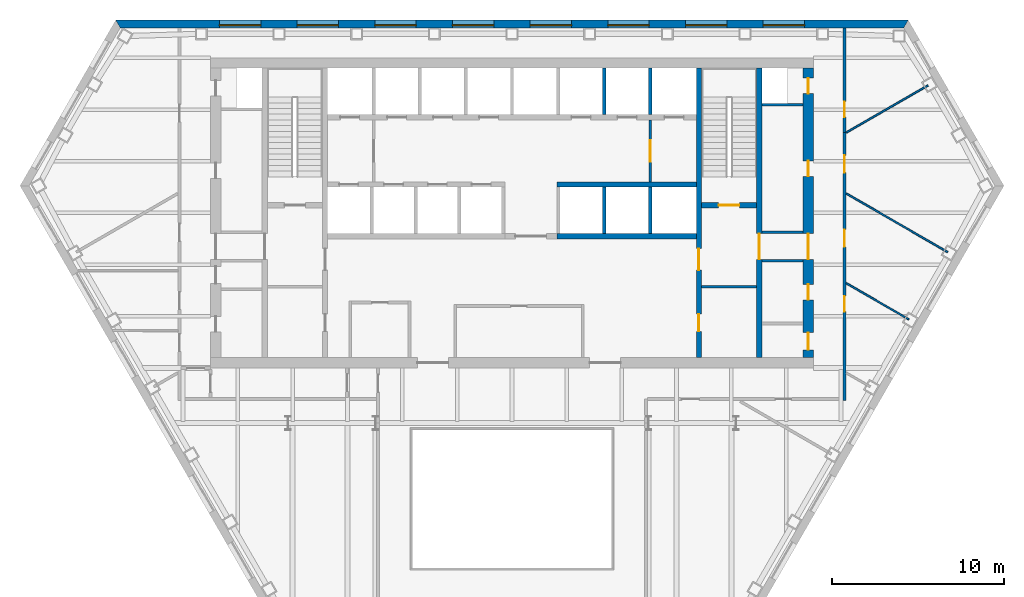
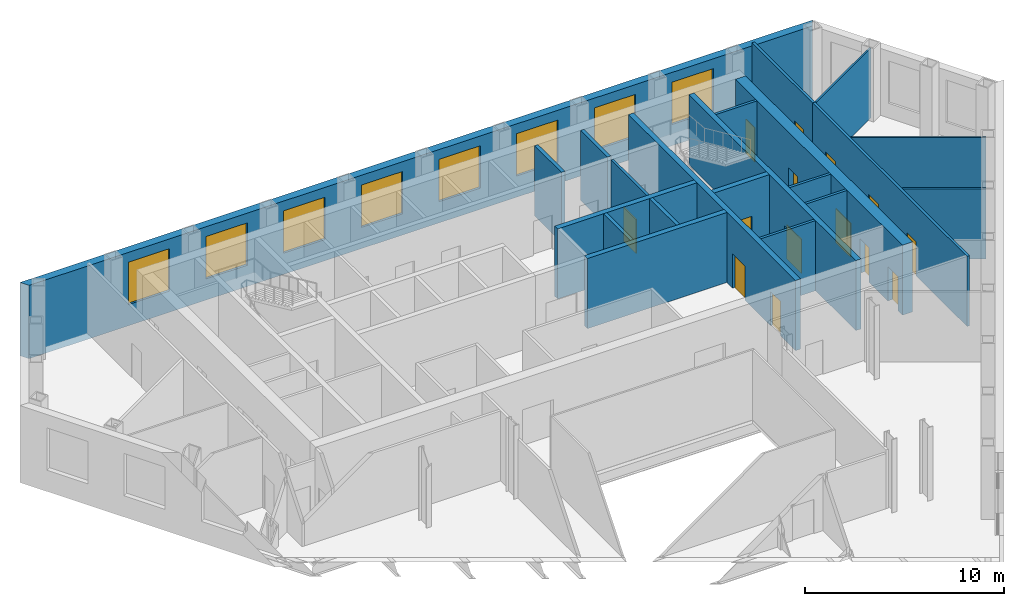
# One storey, part 7 of 11: 21 walls, 14 doors, 8 windows, 22 openings.
"""IFC4 building model written with IfcOpenShell, lengths in metres."""

import ifcopenshell
import ifcopenshell.guid

model = None  # the IFC model being written
_history = None  # IfcOwnerHistory: only IFC2X3 demands one
_inside = {}  # id of a spatial element -> (the spatial element, [elements in it])
_under = {}  # id of a project, library or spatial element -> (it, [spatial elements below it])
_declared = {}  # id of a project -> (the project, [libraries it declares])
_typed = {}  # id of a type object -> (the type object, [elements of that type])
_made_of = {}  # id of a material, layer set ... -> (it, [elements and type objects made of it])


def new_model(schema):
    """Start an empty IFC model of exactly this schema.

    Asked for "IFC4X3", IfcOpenShell would pick the latest addendum, in which some entities
    have other attributes; the version numbers below select the first issue.
    IFC2X3 requires an IfcOwnerHistory on every rooted entity: one is made here for all.
    """
    global model, _history
    if schema == "IFC4X3":
        model = ifcopenshell.file(schema_version=(4, 3, 0, 0))
    else:
        model = ifcopenshell.file(schema=schema)
    _inside.clear()
    _under.clear()
    _declared.clear()
    _typed.clear()
    _made_of.clear()
    _history = None
    if model.schema == "IFC2X3":
        org = make("IfcOrganization", Name="unknown")
        user = make(
            "IfcPersonAndOrganization",
            ThePerson=make("IfcPerson", FamilyName="unknown"),
            TheOrganization=org,
        )
        app = make(
            "IfcApplication",
            ApplicationDeveloper=org,
            Version="unknown",
            ApplicationFullName="unknown",
            ApplicationIdentifier="unknown",
        )
        _history = make(
            "IfcOwnerHistory",
            OwningUser=user,
            OwningApplication=app,
            ChangeAction="ADDED",
            CreationDate=0,
        )
    return model


def make(cls, **values):
    """One entity of the class cls with the attributes given. An attribute that is None is left unset."""
    return model.create_entity(
        cls, **{name: value for name, value in values.items() if value is not None}
    )


def rooted(cls, **values):
    """An entity with a GlobalId (a new one), such as an element, a storey or a relation."""
    return make(cls, GlobalId=ifcopenshell.guid.new(), OwnerHistory=_history, **values)


def si_unit(unit_type, name, prefix=None):
    """IfcSIUnit, for example si_unit("LENGTHUNIT", "METRE", prefix="MILLI")."""
    return make("IfcSIUnit", UnitType=unit_type, Prefix=prefix, Name=name)


def assignment(units):
    """IfcUnitAssignment: the units of a project."""
    return None if units is None else make("IfcUnitAssignment", Units=units)


def point(xyz):
    """IfcCartesianPoint."""
    return None if xyz is None else make("IfcCartesianPoint", Coordinates=xyz)


def direction(xyz):
    """IfcDirection."""
    return None if xyz is None else make("IfcDirection", DirectionRatios=xyz)


def frame(location, z_axis=None, x_axis=None):
    """IfcAxis2Placement3D, a coordinate frame: its origin and axes. An axis left out is left unset."""
    return make(
        "IfcAxis2Placement3D",
        Location=point(location),
        Axis=direction(z_axis),
        RefDirection=direction(x_axis),
    )


def frame_2d(location, x_axis=None):
    """IfcAxis2Placement2D, a coordinate frame in the plane: its origin and x axis."""
    return make(
        "IfcAxis2Placement2D", Location=point(location), RefDirection=direction(x_axis)
    )


def origin():
    """The frame at (0, 0, 0) with its axes left unset."""
    return frame((0.0, 0.0, 0.0))


def place(relative_to, where):
    """IfcLocalPlacement: puts the frame where relative to a parent placement (None: the world)."""
    return make(
        "IfcLocalPlacement", PlacementRelTo=relative_to, RelativePlacement=where
    )


def context(
    kind, dimensions, precision=None, world=None, true_north=None, identifier=None
):
    """IfcGeometricRepresentationContext, for example the 3D "Model" context."""
    return make(
        "IfcGeometricRepresentationContext",
        ContextIdentifier=identifier,
        ContextType=kind,
        CoordinateSpaceDimension=dimensions,
        Precision=precision,
        WorldCoordinateSystem=world,
        TrueNorth=true_north,
    )


def subcontext(parent, identifier, kind, view, scale=None):
    """IfcGeometricRepresentationSubContext, for example "Body" below "Model"."""
    return make(
        "IfcGeometricRepresentationSubContext",
        ContextIdentifier=identifier,
        ContextType=kind,
        ParentContext=parent,
        TargetScale=scale,
        TargetView=view,
    )


def project(units=None, contexts=None):
    """IfcProject with its units and contexts."""
    return rooted(
        "IfcProject",
        Name="project",
        RepresentationContexts=contexts,
        UnitsInContext=assignment(units),
    )


def spatial(cls, under=None, at=None, **own):
    """A site, building, storey or space (cls), placed at a placement, below another one or the project."""
    s = rooted(cls, ObjectPlacement=at, **own)
    if under is not None:
        _under.setdefault(under.id(), (under, []))[1].append(s)
    return s


def polyline(points):
    """IfcPolyline through the points."""
    return make("IfcPolyline", Points=[point(p) for p in points])


def profile(cls, at=None, kind="AREA", **sizes):
    """A parametric profile (cls). Its sizes go by their IFC names, for example OverallWidth=200.0."""
    return make(cls, ProfileType=kind, Position=at, **sizes)


def rectangle(**sizes):
    """IfcRectangleProfileDef."""
    return profile("IfcRectangleProfileDef", **sizes)


def outline(outer, holes=None, kind="AREA"):
    """IfcArbitraryClosedProfileDef: a profile drawn as a closed curve; with holes, ...WithVoids."""
    if holes is None:
        return make("IfcArbitraryClosedProfileDef", ProfileType=kind, OuterCurve=outer)
    return make(
        "IfcArbitraryProfileDefWithVoids",
        ProfileType=kind,
        OuterCurve=outer,
        InnerCurves=holes,
    )


def extrude(swept, where, along, depth):
    """IfcExtrudedAreaSolid: the profile swept, set in the frame where, extruded along a direction by depth."""
    return make(
        "IfcExtrudedAreaSolid",
        SweptArea=swept,
        Position=where,
        ExtrudedDirection=direction(along),
        Depth=depth,
    )


def shape(context_of_items, identifier, shape_type, items):
    """IfcShapeRepresentation: the items that make up one representation, for example the "Body"."""
    return make(
        "IfcShapeRepresentation",
        ContextOfItems=context_of_items,
        RepresentationIdentifier=identifier,
        RepresentationType=shape_type,
        Items=items,
    )


def material(Name=None, Category=None):
    """IfcMaterial."""
    return make("IfcMaterial", Name=Name, Category=Category)


def layer(
    of_material, thickness, ventilated=None, Name=None, Category=None, Priority=None
):
    """IfcMaterialLayer: one layer of a wall or slab, of a material (None: an air gap)."""
    return make(
        "IfcMaterialLayer",
        Material=of_material,
        LayerThickness=thickness,
        IsVentilated=ventilated,
        Name=Name,
        Category=Category,
        Priority=Priority,
    )


def layer_set(layers, Name=None):
    """IfcMaterialLayerSet."""
    return make("IfcMaterialLayerSet", MaterialLayers=layers, LayerSetName=Name)


def made_of(thing, what):
    """Note that an element or type object is made of a material, layer set ...; save() writes the relation."""
    if what is not None:
        _made_of.setdefault(what.id(), (what, []))[1].append(thing)
    return thing


def type_object(cls, material=None, **own):
    """A type object (cls), such as IfcWallType, which elements share."""
    return made_of(rooted(cls, **own), material)


def element(
    cls,
    number,
    at=None,
    inside=None,
    cuts=None,
    type_object=None,
    material=None,
    context=None,
    identifier="Body",
    shape_type=None,
    held_by="IfcProductDefinitionShape",
    body=None,
    shapes=None,
    **own,
):
    """One element of the class cls, such as IfcWall. Its Tag is "e" and its number.

    at: its placement. inside: the storey or other place that contains it. cuts: it is an
    opening in that element (IfcRelVoidsElement). A single representation is given by context,
    identifier, shape_type and body (its items); several are given by shapes. held_by: the class
    of the entity that holds the representations. save() writes the other relations.
    """
    e = rooted(cls, Tag="e%d" % number, ObjectPlacement=at, **own)
    if body is not None:
        shapes = [shape(context, identifier, shape_type, body)]
    if shapes is not None:
        e.Representation = make(held_by, Representations=shapes)
    if inside is not None:
        _inside.setdefault(inside.id(), (inside, []))[1].append(e)
    if cuts is not None:
        rooted(
            "IfcRelVoidsElement", RelatingBuildingElement=cuts, RelatedOpeningElement=e
        )
    if type_object is not None:
        _typed.setdefault(type_object.id(), (type_object, []))[1].append(e)
    return made_of(e, material)


def fill(opening, filler):
    """IfcRelFillsElement: the door or window that sits in an opening."""
    return rooted(
        "IfcRelFillsElement",
        RelatingOpeningElement=opening,
        RelatedBuildingElement=filler,
    )


def aggregate(whole, parts):
    """IfcRelAggregates: a whole, such as a stair, and the parts it consists of."""
    return rooted("IfcRelAggregates", RelatingObject=whole, RelatedObjects=parts)


def save(model, path):
    """Write the relations noted so far, then the file.

    IfcRelAggregates (storeys below a building ...), IfcRelContainedInSpatialStructure (elements
    in a storey), IfcRelDefinesByType, IfcRelAssociatesMaterial and IfcRelDeclares: one each for
    every whole, place, type object, material and project.
    """
    for whole, parts in _under.values():
        aggregate(whole, parts)
    for where, things in _inside.values():
        rooted(
            "IfcRelContainedInSpatialStructure",
            RelatedElements=things,
            RelatingStructure=where,
        )
    for kind, things in _typed.values():
        rooted("IfcRelDefinesByType", RelatedObjects=things, RelatingType=kind)
    for what, things in _made_of.values():
        rooted("IfcRelAssociatesMaterial", RelatedObjects=things, RelatingMaterial=what)
    for by, libraries in _declared.values():
        rooted("IfcRelDeclares", RelatingContext=by, RelatedDefinitions=libraries)
    model.write(path)


model = new_model("IFC4")

# Units and contexts
model_context = context("Model", 3, precision=1e-05, world=origin(), true_north=direction((0.0, 1.0)))
body_context = subcontext(model_context, "Body", "Model", "MODEL_VIEW")
ifc_project = project(units=[si_unit("LENGTHUNIT", "METRE"), si_unit("AREAUNIT", "SQUARE_METRE"), si_unit("VOLUMEUNIT", "CUBIC_METRE"), si_unit("PLANEANGLEUNIT", "RADIAN"), si_unit("MASSUNIT", "GRAM", prefix="KILO")], contexts=[model_context])

# Site, building, storey
site_placement = place(None, origin())
site = spatial("IfcSite", under=ifc_project, at=site_placement, CompositionType="ELEMENT")
building_placement = place(site_placement, origin())
building = spatial("IfcBuilding", under=site, at=building_placement, Name="Njiva Tower", CompositionType="ELEMENT")
storey_placement = place(building_placement, frame((0.0, 0.0, 64.8)))
storey = spatial("IfcBuildingStorey", under=building, at=storey_placement, Name="L13", CompositionType="ELEMENT", Elevation=64.8)

# Wall
ifc_material_1 = material(Name="Blockwork", Category="masonry")
ifc_layer_1 = layer(ifc_material_1, 0.15)
ifc_layer_set_1 = layer_set([ifc_layer_1], Name="Blockwork")
wall_type_1 = type_object("IfcWallType", Name="WT1 Compartment partition 150", PredefinedType="PARTITIONING", material=ifc_layer_set_1)
wall_1_placement = place(storey_placement, frame((11.0, 4.725, 0.0), z_axis=(0.0, 0.0, 1.0), x_axis=(1.0, 0.0, 0.0)))
element("IfcWall", 1, at=wall_1_placement, inside=storey, type_object=wall_type_1, Name="Room wall B", PredefinedType="PARTITIONING", context=body_context, shape_type="SweptSolid", body=[
    extrude(rectangle(XDim=3.2, YDim=0.15, at=frame_2d((1.6, 0.0))), origin(), (0.0, 0.0, 1.0), 4.3),
])

# Wall, openings, doors
ifc_material_2 = material(Name="Concrete C40/50", Category="concrete")
ifc_layer_2 = layer(ifc_material_2, 0.3)
ifc_layer_set_2 = layer_set([ifc_layer_2], Name="Concrete C40/50")
wall_type_2 = type_object("IfcWallType", Name="WT10 Stair enclosure wall 300", PredefinedType="SHEAR", material=ifc_layer_set_2)
wall_2_placement = place(storey_placement, frame((10.85, 0.6, 0.0), z_axis=(0.0, 0.0, 1.0), x_axis=(0.0, 1.0, 0.0)))
wall_2 = element("IfcWall", 2, at=wall_2_placement, inside=storey, type_object=wall_type_2, Name="Stair wall east inner", PredefinedType="SHEAR", context=body_context, shape_type="SweptSolid", body=[
    extrude(rectangle(XDim=16.8, YDim=0.3, at=frame_2d((8.4, 0.0))), origin(), (0.0, 0.0, 1.0), 4.3),
])
opening_1_placement = place(wall_2_placement, frame((5.075, 0.0, 0.0)))
opening_1 = element("IfcOpeningElement", 3, at=opening_1_placement, cuts=wall_2, Name="Opening S04-D918", PredefinedType="OPENING", context=body_context, shape_type="SweptSolid", body=[
    extrude(rectangle(XDim=1.25, YDim=2.1, at=frame_2d((0.625, 1.05))), frame((0.0, 0.16, 0.0), z_axis=(0.0, -1.0, 0.0), x_axis=(1.0, 0.0, 0.0)), (0.0, 0.0, 1.0), 0.32),
])
opening_2_placement = place(wall_2_placement, frame((1.525, 0.0, 0.0)))
opening_2 = element("IfcOpeningElement", 4, at=opening_2_placement, cuts=wall_2, Name="Opening S04-D919", PredefinedType="OPENING", context=body_context, shape_type="SweptSolid", body=[
    extrude(rectangle(XDim=1.0, YDim=2.1, at=frame_2d((0.5, 1.05))), frame((0.0, 0.16, 0.0), z_axis=(0.0, -1.0, 0.0), x_axis=(1.0, 0.0, 0.0)), (0.0, 0.0, 1.0), 0.32),
])
ifc_material_3 = material(Name="Steel door, painted", Category="steel")
door_type_1 = type_object("IfcDoorType", Name="D5 Steel door 1000x2100", OperationType="SINGLE_SWING_LEFT", PredefinedType="DOOR", material=ifc_material_3)
door_1_placement = place(opening_2_placement, origin())
door_1 = element("IfcDoor", 5, at=door_1_placement, inside=storey, type_object=door_type_1, Name="Meeting room door", OperationType="SINGLE_SWING_LEFT", OverallHeight=2.1, OverallWidth=1.0, PredefinedType="DOOR", context=body_context, shape_type="SweptSolid", body=[
    extrude(rectangle(XDim=1.0, YDim=2.1, at=frame_2d((0.5, 1.05))), frame((0.0, 0.025, 0.0), z_axis=(0.0, -1.0, 0.0), x_axis=(1.0, 0.0, 0.0)), (0.0, 0.0, 1.0), 0.05),
])
fill(opening_2, door_1)
ifc_material_4 = material(Name="Glazed steel fire door", Category="steel")
door_type_2 = type_object("IfcDoorType", Name="D8 Vestibule corridor door 1250x2100 glazed", OperationType="SINGLE_SWING_LEFT", PredefinedType="DOOR", material=ifc_material_4)
door_2_placement = place(opening_1_placement, origin())
door_2 = element("IfcDoor", 6, at=door_2_placement, inside=storey, type_object=door_type_2, Name="Stair vestibule corridor door", OperationType="SINGLE_SWING_RIGHT", OverallHeight=2.1, OverallWidth=1.25, PredefinedType="DOOR", context=body_context, shape_type="SweptSolid", body=[
    extrude(rectangle(XDim=1.25, YDim=2.1, at=frame_2d((0.625, 1.05))), frame((0.0, 0.025, 0.0), z_axis=(0.0, -1.0, 0.0), x_axis=(1.0, 0.0, 0.0)), (0.0, 0.0, 1.0), 0.05),
])
fill(opening_1, door_2)

# Wall, opening, door
wall_3_placement = place(storey_placement, frame((14.35, 0.6, 0.0), z_axis=(0.0, 0.0, 1.0), x_axis=(0.0, 1.0, 0.0)))
wall_3 = element("IfcWall", 7, at=wall_3_placement, inside=storey, type_object=wall_type_2, Name="Stair wall east outer", PredefinedType="SHEAR", context=body_context, shape_type="SweptSolid", body=[
    extrude(rectangle(XDim=16.8, YDim=0.3, at=frame_2d((8.4, 0.0))), origin(), (0.0, 0.0, 1.0), 4.3),
])
opening_3_placement = place(wall_3_placement, frame((5.7, 0.0, 0.0)))
opening_3 = element("IfcOpeningElement", 8, at=opening_3_placement, cuts=wall_3, Name="Opening S04-D926", PredefinedType="OPENING", context=body_context, shape_type="SweptSolid", body=[
    extrude(rectangle(XDim=1.5, YDim=2.1, at=frame_2d((0.75, 1.05))), frame((0.0, 0.16, 0.0), z_axis=(0.0, -1.0, 0.0), x_axis=(1.0, 0.0, 0.0)), (0.0, 0.0, 1.0), 0.32),
])
door_type_3 = type_object("IfcDoorType", Name="D10 Exit door double 1500x2100 glazed", OperationType="DOUBLE_DOOR_SINGLE_SWING", PredefinedType="DOOR", material=ifc_material_4)
door_3_placement = place(opening_3_placement, origin())
door_3 = element("IfcDoor", 9, at=door_3_placement, inside=storey, type_object=door_type_3, Name="Stair B passage door", OperationType="DOUBLE_DOOR_SINGLE_SWING", OverallHeight=2.1, OverallWidth=1.5, PredefinedType="DOOR", context=body_context, shape_type="SweptSolid", body=[
    extrude(rectangle(XDim=1.5, YDim=2.1, at=frame_2d((0.75, 1.05))), frame((0.0, 0.025, 0.0), z_axis=(0.0, -1.0, 0.0), x_axis=(1.0, 0.0, 0.0)), (0.0, 0.0, 1.0), 0.05),
])
fill(opening_3, door_3)

wall_4_placement = place(storey_placement, frame((11.0, 9.45, 0.0), z_axis=(0.0, 0.0, 1.0), x_axis=(1.0, 0.0, 0.0)))
wall_4 = element("IfcWall", 10, at=wall_4_placement, inside=storey, type_object=wall_type_2, Name="Stair B south wall", PredefinedType="SHEAR", context=body_context, shape_type="SweptSolid", body=[
    extrude(rectangle(XDim=3.2, YDim=0.3, at=frame_2d((1.6, 0.0))), origin(), (0.0, 0.0, 1.0), 4.3),
])
opening_4_placement = place(wall_4_placement, frame((1.0, 0.0, 0.0)))
opening_4 = element("IfcOpeningElement", 11, at=opening_4_placement, cuts=wall_4, Name="Opening S04-D917", PredefinedType="OPENING", context=body_context, shape_type="SweptSolid", body=[
    extrude(rectangle(XDim=1.2, YDim=2.1, at=frame_2d((0.6, 1.05))), frame((0.0, 0.16, 0.0), z_axis=(0.0, -1.0, 0.0), x_axis=(1.0, 0.0, 0.0)), (0.0, 0.0, 1.0), 0.32),
])
door_type_4 = type_object("IfcDoorType", Name="D7 Stair vestibule door 1200x2100 glazed", OperationType="SINGLE_SWING_LEFT", PredefinedType="DOOR", material=ifc_material_4)
door_4_placement = place(opening_4_placement, origin())
door_4 = element("IfcDoor", 12, at=door_4_placement, inside=storey, type_object=door_type_4, Name="Stair B door", OperationType="SINGLE_SWING_LEFT", OverallHeight=2.1, OverallWidth=1.2, PredefinedType="DOOR", context=body_context, shape_type="SweptSolid", body=[
    extrude(rectangle(XDim=1.2, YDim=2.1, at=frame_2d((0.6, 1.05))), frame((0.0, 0.025, 0.0), z_axis=(0.0, -1.0, 0.0), x_axis=(1.0, 0.0, 0.0)), (0.0, 0.0, 1.0), 0.05),
])
fill(opening_4, door_4)

# Wall, openings, doors
ifc_material_5 = material(Name="Concrete C60/75", Category="concrete")
ifc_layer_3 = layer(ifc_material_5, 0.6)
ifc_layer_set_3 = layer_set([ifc_layer_3], Name="Concrete C60/75")
wall_type_3 = type_object("IfcWallType", Name="WT15 Core wall 600", PredefinedType="SHEAR", material=ifc_layer_set_3)
wall_5_placement = place(storey_placement, frame((17.2, 0.6, 0.0), z_axis=(0.0, 0.0, 1.0), x_axis=(0.0, 1.0, 0.0)))
wall_5 = element("IfcWall", 13, at=wall_5_placement, inside=storey, type_object=wall_type_3, Name="Core wall east", PredefinedType="SHEAR", context=body_context, shape_type="SweptSolid", body=[
    extrude(rectangle(XDim=16.8, YDim=0.6, at=frame_2d((8.4, 0.0))), origin(), (0.0, 0.0, 1.0), 4.3),
])
opening_5_placement = place(wall_5_placement, frame((5.7, 0.0, 0.0)))
opening_5 = element("IfcOpeningElement", 14, at=opening_5_placement, cuts=wall_5, Name="Opening S04-D927", PredefinedType="OPENING", context=body_context, shape_type="SweptSolid", body=[
    extrude(rectangle(XDim=1.5, YDim=2.1, at=frame_2d((0.75, 1.05))), frame((0.0, 0.31, 0.0), z_axis=(0.0, -1.0, 0.0), x_axis=(1.0, 0.0, 0.0)), (0.0, 0.0, 1.0), 0.62),
])
opening_6_placement = place(wall_5_placement, frame((0.4543, 0.0, 0.0)))
opening_6 = element("IfcOpeningElement", 15, at=opening_6_placement, cuts=wall_5, Name="Opening S04-D928", PredefinedType="OPENING", context=body_context, shape_type="SweptSolid", body=[
    extrude(rectangle(XDim=1.0, YDim=2.1, at=frame_2d((0.5, 1.05))), frame((0.0, 0.31, 0.0), z_axis=(0.0, -1.0, 0.0), x_axis=(1.0, 0.0, 0.0)), (0.0, 0.0, 1.0), 0.62),
])
opening_7_placement = place(wall_5_placement, frame((3.3543, 0.0, 0.0)))
opening_7 = element("IfcOpeningElement", 16, at=opening_7_placement, cuts=wall_5, Name="Opening S04-D929", PredefinedType="OPENING", context=body_context, shape_type="SweptSolid", body=[
    extrude(rectangle(XDim=0.9, YDim=2.1, at=frame_2d((0.45, 1.05))), frame((0.0, 0.31, 0.0), z_axis=(0.0, -1.0, 0.0), x_axis=(1.0, 0.0, 0.0)), (0.0, 0.0, 1.0), 0.62),
])
opening_8_placement = place(wall_5_placement, frame((10.5266, 0.0, 0.0)))
opening_8 = element("IfcOpeningElement", 17, at=opening_8_placement, cuts=wall_5, Name="Opening S04-D930", PredefinedType="OPENING", context=body_context, shape_type="SweptSolid", body=[
    extrude(rectangle(XDim=0.9, YDim=2.1, at=frame_2d((0.45, 1.05))), frame((0.0, 0.31, 0.0), z_axis=(0.0, -1.0, 0.0), x_axis=(1.0, 0.0, 0.0)), (0.0, 0.0, 1.0), 0.62),
])
opening_9_placement = place(wall_5_placement, frame((15.3266, 0.0, 0.0)))
opening_9 = element("IfcOpeningElement", 18, at=opening_9_placement, cuts=wall_5, Name="Opening S04-D931", PredefinedType="OPENING", context=body_context, shape_type="SweptSolid", body=[
    extrude(rectangle(XDim=0.9, YDim=2.1, at=frame_2d((0.45, 1.05))), frame((0.0, 0.31, 0.0), z_axis=(0.0, -1.0, 0.0), x_axis=(1.0, 0.0, 0.0)), (0.0, 0.0, 1.0), 0.62),
])
door_5_placement = place(opening_5_placement, origin())
door_5 = element("IfcDoor", 19, at=door_5_placement, inside=storey, type_object=door_type_3, Name="Stair B corridor door", OperationType="DOUBLE_DOOR_SINGLE_SWING", OverallHeight=2.1, OverallWidth=1.5, PredefinedType="DOOR", context=body_context, shape_type="SweptSolid", body=[
    extrude(rectangle(XDim=1.5, YDim=2.1, at=frame_2d((0.75, 1.05))), frame((0.0, 0.025, 0.0), z_axis=(0.0, -1.0, 0.0), x_axis=(1.0, 0.0, 0.0)), (0.0, 0.0, 1.0), 0.05),
])
fill(opening_5, door_5)
door_type_5 = type_object("IfcDoorType", Name="D4 Riser door 900x2100", OperationType="SINGLE_SWING_LEFT", PredefinedType="DOOR", material=ifc_material_3)
door_6_placement = place(opening_9_placement, origin())
door_6 = element("IfcDoor", 20, at=door_6_placement, inside=storey, type_object=door_type_5, Name="Riser door", OperationType="SINGLE_SWING_RIGHT", OverallHeight=2.1, OverallWidth=0.9, PredefinedType="DOOR", context=body_context, shape_type="SweptSolid", body=[
    extrude(rectangle(XDim=0.9, YDim=2.1, at=frame_2d((0.45, 1.05))), frame((0.0, 0.025, 0.0), z_axis=(0.0, -1.0, 0.0), x_axis=(1.0, 0.0, 0.0)), (0.0, 0.0, 1.0), 0.05),
])
fill(opening_9, door_6)
door_7_placement = place(opening_6_placement, origin())
door_7 = element("IfcDoor", 21, at=door_7_placement, inside=storey, type_object=door_type_1, Name="Telecoms room door", OperationType="SINGLE_SWING_RIGHT", OverallHeight=2.1, OverallWidth=1.0, PredefinedType="DOOR", context=body_context, shape_type="SweptSolid", body=[
    extrude(rectangle(XDim=1.0, YDim=2.1, at=frame_2d((0.5, 1.05))), frame((0.0, 0.025, 0.0), z_axis=(0.0, -1.0, 0.0), x_axis=(1.0, 0.0, 0.0)), (0.0, 0.0, 1.0), 0.05),
])
fill(opening_6, door_7)
ifc_material_6 = material(Name="Steel fire door, painted", Category="steel")
door_type_6 = type_object("IfcDoorType", Name="D6 Fire-rated door 900x2100", OperationType="SINGLE_SWING_LEFT", PredefinedType="DOOR", material=ifc_material_6)
door_8_placement = place(opening_7_placement, origin())
door_8 = element("IfcDoor", 22, at=door_8_placement, inside=storey, type_object=door_type_6, Name="Quiet room door", OperationType="SINGLE_SWING_RIGHT", OverallHeight=2.1, OverallWidth=0.9, PredefinedType="DOOR", context=body_context, shape_type="SweptSolid", body=[
    extrude(rectangle(XDim=0.9, YDim=2.1, at=frame_2d((0.45, 1.05))), frame((0.0, 0.025, 0.0), z_axis=(0.0, -1.0, 0.0), x_axis=(1.0, 0.0, 0.0)), (0.0, 0.0, 1.0), 0.05),
])
fill(opening_7, door_8)
door_9_placement = place(opening_8_placement, origin())
door_9 = element("IfcDoor", 23, at=door_9_placement, inside=storey, type_object=door_type_6, Name="Prayer room door", OperationType="SINGLE_SWING_LEFT", OverallHeight=2.1, OverallWidth=0.9, PredefinedType="DOOR", context=body_context, shape_type="SweptSolid", body=[
    extrude(rectangle(XDim=0.9, YDim=2.1, at=frame_2d((0.45, 1.05))), frame((0.0, 0.025, 0.0), z_axis=(0.0, -1.0, 0.0), x_axis=(1.0, 0.0, 0.0)), (0.0, 0.0, 1.0), 0.05),
])
fill(opening_8, door_9)

# Wall, opening, door
ifc_layer_4 = layer(ifc_material_1, 0.15)
ifc_layer_set_4 = layer_set([ifc_layer_4], Name="Blockwork")
wall_type_4 = type_object("IfcWallType", Name="WT2 Lobby partition 150", PredefinedType="PARTITIONING", material=ifc_layer_set_4)
wall_6_placement = place(storey_placement, frame((8.025, 10.8, 0.0), z_axis=(0.0, 0.0, 1.0), x_axis=(0.0, 1.0, 0.0)))
wall_6 = element("IfcWall", 24, at=wall_6_placement, inside=storey, type_object=wall_type_4, Name="Firefighting lobby wall B", PredefinedType="PARTITIONING", context=body_context, shape_type="SweptSolid", body=[
    extrude(rectangle(XDim=3.6, YDim=0.15, at=frame_2d((1.8, 0.0))), origin(), (0.0, 0.0, 1.0), 4.3),
])
opening_10_placement = place(wall_6_placement, frame((1.175, 0.0, 0.0)))
opening_10 = element("IfcOpeningElement", 25, at=opening_10_placement, cuts=wall_6, Name="Opening S04-D916", PredefinedType="OPENING", context=body_context, shape_type="SweptSolid", body=[
    extrude(rectangle(XDim=1.25, YDim=2.1, at=frame_2d((0.625, 1.05))), frame((0.0, 0.085, 0.0), z_axis=(0.0, -1.0, 0.0), x_axis=(1.0, 0.0, 0.0)), (0.0, 0.0, 1.0), 0.17),
])
door_10_placement = place(opening_10_placement, origin())
door_10 = element("IfcDoor", 26, at=door_10_placement, inside=storey, type_object=door_type_2, Name="Stair vestibule corridor door", OperationType="SINGLE_SWING_LEFT", OverallHeight=2.1, OverallWidth=1.25, PredefinedType="DOOR", context=body_context, shape_type="SweptSolid", body=[
    extrude(rectangle(XDim=1.25, YDim=2.1, at=frame_2d((0.625, 1.05))), frame((0.0, 0.025, 0.0), z_axis=(0.0, -1.0, 0.0), x_axis=(1.0, 0.0, 0.0)), (0.0, 0.0, 1.0), 0.05),
])
fill(opening_10, door_10)

# Walls
ifc_material_7 = material(Name="Gypsum board on steel studs", Category="gypsum")
ifc_layer_5 = layer(ifc_material_7, 0.1)
ifc_layer_set_5 = layer_set([ifc_layer_5], Name="Gypsum board on steel studs")
wall_type_5 = type_object("IfcWallType", Name="WT20 Gypsum partition 100", PredefinedType="PARTITIONING", material=ifc_layer_set_5)
wall_7_placement = place(storey_placement, frame((19.4, 4.921, 0.0), z_axis=(0.0, 0.0, 1.0), x_axis=(0.866039032844, -0.499976393034, 0.0)))
element("IfcWall", 27, at=wall_7_placement, inside=storey, type_object=wall_type_5, Name="Partition S04-P020", PredefinedType="PARTITIONING", context=body_context, shape_type="SweptSolid", body=[
    extrude(rectangle(XDim=4.2042, YDim=0.1, at=frame_2d((2.1021, 0.0))), origin(), (0.0, 0.0, 1.0), 4.3),
])
wall_8_placement = place(storey_placement, frame((19.401, 10.128, 0.0), z_axis=(0.0, 0.0, 1.0), x_axis=(0.865992313895, -0.50005730899, 0.0)))
element("IfcWall", 28, at=wall_8_placement, inside=storey, type_object=wall_type_5, Name="Partition S04-P021", PredefinedType="PARTITIONING", context=body_context, shape_type="SweptSolid", body=[
    extrude(rectangle(XDim=6.8072, YDim=0.1, at=frame_2d((3.4036, 0.0))), origin(), (0.0, 0.0, 1.0), 4.3),
])
wall_9_placement = place(storey_placement, frame((19.401, 13.666, 0.0), z_axis=(0.0, 0.0, 1.0), x_axis=(0.866161319146, 0.499764513761, 0.0)))
element("IfcWall", 29, at=wall_9_placement, inside=storey, type_object=wall_type_5, Name="Partition S04-P022", PredefinedType="PARTITIONING", context=body_context, shape_type="SweptSolid", body=[
    extrude(rectangle(XDim=5.4886, YDim=0.1, at=frame_2d((2.7443, 0.0))), origin(), (0.0, 0.0, 1.0), 4.3),
])

# Wall, openings, doors
ifc_layer_6 = layer(ifc_material_7, 0.15)
ifc_layer_set_6 = layer_set([ifc_layer_6], Name="Gypsum board on steel studs")
wall_type_6 = type_object("IfcWallType", Name="WT21 Compartment wall 150", PredefinedType="PARTITIONING", material=ifc_layer_set_6)
wall_10_placement = place(storey_placement, frame((19.3, -1.875, 0.0), z_axis=(0.0, 0.0, 1.0), x_axis=(6.4383209e-05, 0.999999997927, 0.0)))
wall_10 = element("IfcWall", 30, at=wall_10_placement, inside=storey, type_object=wall_type_6, Name="Partition S04-P017", PredefinedType="PARTITIONING", context=body_context, shape_type="SweptSolid", body=[
    extrude(rectangle(XDim=15.532, YDim=0.15, at=frame_2d((7.766, 0.0))), origin(), (0.0, 0.0, 1.0), 4.3),
])
opening_11_placement = place(wall_10_placement, frame((5.153, 0.0, 0.0)))
opening_11 = element("IfcOpeningElement", 31, at=opening_11_placement, cuts=wall_10, Name="Opening S04-D012", PredefinedType="OPENING", context=body_context, shape_type="SweptSolid", body=[
    extrude(rectangle(XDim=0.9, YDim=2.1, at=frame_2d((0.45, 1.05))), frame((0.0, 0.085, 0.0), z_axis=(0.0, -1.0, 0.0), x_axis=(1.0, 0.0, 0.0)), (0.0, 0.0, 1.0), 0.17),
])
opening_12_placement = place(wall_10_placement, frame((8.907, 0.0, 0.0)))
opening_12 = element("IfcOpeningElement", 32, at=opening_12_placement, cuts=wall_10, Name="Opening S04-D013", PredefinedType="OPENING", context=body_context, shape_type="SweptSolid", body=[
    extrude(rectangle(XDim=1.0, YDim=2.1, at=frame_2d((0.5, 1.05))), frame((0.0, 0.085, 0.0), z_axis=(0.0, -1.0, 0.0), x_axis=(1.0, 0.0, 0.0)), (0.0, 0.0, 1.0), 0.17),
])
opening_13_placement = place(wall_10_placement, frame((13.221, 0.0, 0.0)))
opening_13 = element("IfcOpeningElement", 33, at=opening_13_placement, cuts=wall_10, Name="Opening S04-D014", PredefinedType="OPENING", context=body_context, shape_type="SweptSolid", body=[
    extrude(rectangle(XDim=1.0, YDim=2.1, at=frame_2d((0.5, 1.05))), frame((0.0, 0.085, 0.0), z_axis=(0.0, -1.0, 0.0), x_axis=(1.0, 0.0, 0.0)), (0.0, 0.0, 1.0), 0.17),
])
ifc_material_8 = material(Name="Steel fire door set", Category="steel")
door_type_7 = type_object("IfcDoorType", Name="D36 Fire door 900x2100", OperationType="SINGLE_SWING_LEFT", PredefinedType="DOOR", material=ifc_material_8)
door_11_placement = place(opening_11_placement, origin())
door_11 = element("IfcDoor", 34, at=door_11_placement, inside=storey, type_object=door_type_7, Name="Door S04-D012", OperationType="SINGLE_SWING_LEFT", OverallHeight=2.1, OverallWidth=0.9, PredefinedType="DOOR", context=body_context, shape_type="SweptSolid", body=[
    extrude(rectangle(XDim=0.9, YDim=2.1, at=frame_2d((0.45, 1.05))), frame((0.0, 0.025, 0.0), z_axis=(0.0, -1.0, 0.0), x_axis=(1.0, 0.0, 0.0)), (0.0, 0.0, 1.0), 0.05),
])
fill(opening_11, door_11)
door_type_8 = type_object("IfcDoorType", Name="D37 Fire door 1000x2100", OperationType="SINGLE_SWING_LEFT", PredefinedType="DOOR", material=ifc_material_8)
door_12_placement = place(opening_12_placement, origin())
door_12 = element("IfcDoor", 35, at=door_12_placement, inside=storey, type_object=door_type_8, Name="Door S04-D013", OperationType="SINGLE_SWING_RIGHT", OverallHeight=2.1, OverallWidth=1.0, PredefinedType="DOOR", context=body_context, shape_type="SweptSolid", body=[
    extrude(rectangle(XDim=1.0, YDim=2.1, at=frame_2d((0.5, 1.05))), frame((0.0, 0.025, 0.0), z_axis=(0.0, -1.0, 0.0), x_axis=(1.0, 0.0, 0.0)), (0.0, 0.0, 1.0), 0.05),
])
fill(opening_12, door_12)
door_13_placement = place(opening_13_placement, origin())
door_13 = element("IfcDoor", 36, at=door_13_placement, inside=storey, type_object=door_type_8, Name="Door S04-D014", OperationType="SINGLE_SWING_RIGHT", OverallHeight=2.1, OverallWidth=1.0, PredefinedType="DOOR", context=body_context, shape_type="SweptSolid", body=[
    extrude(rectangle(XDim=1.0, YDim=2.1, at=frame_2d((0.5, 1.05))), frame((0.0, 0.025, 0.0), z_axis=(0.0, -1.0, 0.0), x_axis=(1.0, 0.0, 0.0)), (0.0, 0.0, 1.0), 0.05),
])
fill(opening_13, door_13)

# Wall, opening, door
wall_11_placement = place(storey_placement, frame((19.3, 19.749, 0.0), z_axis=(0.0, 0.0, 1.0), x_axis=(0.000164149702, -0.999999986527, 0.0)))
wall_11 = element("IfcWall", 37, at=wall_11_placement, inside=storey, type_object=wall_type_6, Name="Partition S04-P018", PredefinedType="PARTITIONING", context=body_context, shape_type="SweptSolid", body=[
    extrude(rectangle(XDim=6.092, YDim=0.15, at=frame_2d((3.046, 0.0))), origin(), (0.0, 0.0, 1.0), 4.3),
])
opening_14_placement = place(wall_11_placement, frame((4.286, 0.0, 0.0)))
opening_14 = element("IfcOpeningElement", 38, at=opening_14_placement, cuts=wall_11, Name="Opening S04-D015", PredefinedType="OPENING", context=body_context, shape_type="SweptSolid", body=[
    extrude(rectangle(XDim=0.9, YDim=2.1, at=frame_2d((0.45, 1.05))), frame((0.0, 0.085, 0.0), z_axis=(0.0, -1.0, 0.0), x_axis=(1.0, 0.0, 0.0)), (0.0, 0.0, 1.0), 0.17),
])
door_14_placement = place(opening_14_placement, origin())
door_14 = element("IfcDoor", 39, at=door_14_placement, inside=storey, type_object=door_type_7, Name="Door S04-D015", OperationType="SINGLE_SWING_LEFT", OverallHeight=2.1, OverallWidth=0.9, PredefinedType="DOOR", context=body_context, shape_type="SweptSolid", body=[
    extrude(rectangle(XDim=0.9, YDim=2.1, at=frame_2d((0.45, 1.05))), frame((0.0, 0.025, 0.0), z_axis=(0.0, -1.0, 0.0), x_axis=(1.0, 0.0, 0.0)), (0.0, 0.0, 1.0), 0.05),
])
fill(opening_14, door_14)

# Walls
ifc_layer_7 = layer(ifc_material_1, 0.15)
ifc_layer_set_7 = layer_set([ifc_layer_7], Name="Blockwork")
wall_type_7 = type_object("IfcWallType", Name="WT3 Riser partition 150", PredefinedType="PARTITIONING", material=ifc_layer_set_7)
wall_12_placement = place(storey_placement, frame((14.5, 15.2783, 0.0), z_axis=(0.0, 0.0, 1.0), x_axis=(1.0, 0.0, 0.0)))
element("IfcWall", 40, at=wall_12_placement, inside=storey, type_object=wall_type_7, Name="Partition strip E10", PredefinedType="PARTITIONING", context=body_context, shape_type="SweptSolid", body=[
    extrude(rectangle(XDim=2.4, YDim=0.15, at=frame_2d((1.2, 0.0))), origin(), (0.0, 0.0, 1.0), 4.3),
])
ifc_layer_8 = layer(ifc_material_1, 0.15)
ifc_layer_set_8 = layer_set([ifc_layer_8], Name="Blockwork")
wall_type_8 = type_object("IfcWallType", Name="WT4 Stair partition 150", PredefinedType="PARTITIONING", material=ifc_layer_set_8)
for number, where, z_axis, x_axis, name in (
    (41, (14.5, 6.225, 0.0), (0.0, 0.0, 1.0), (1.0, 0.0, 0.0), "Stair B exit passage wall south"),
    (42, (14.5, 7.875, 0.0), (0.0, 0.0, 1.0), (1.0, 0.0, 0.0), "Stair B exit passage wall north"),
):
    element("IfcWall", number, at=place(storey_placement, frame(where, z_axis=z_axis, x_axis=x_axis)), inside=storey, type_object=wall_type_8, Name=name, PredefinedType="PARTITIONING", context=body_context, shape_type="SweptSolid", body=[
        extrude(rectangle(XDim=2.4, YDim=0.15, at=frame_2d((1.2, 0.0))), origin(), (0.0, 0.0, 1.0), 4.3),
    ])
ifc_layer_9 = layer(ifc_material_2, 0.2)
ifc_layer_set_9 = layer_set([ifc_layer_9], Name="Concrete C40/50")
wall_type_9 = type_object("IfcWallType", Name="WT6 Lift shaft wall 200", PredefinedType="SHEAR", material=ifc_layer_set_9)
for number, where, z_axis, x_axis, name in (
    (43, (5.35, 14.7, 0.0), (0.0, 0.0, 1.0), (0.0, 1.0, 0.0), "Shaft wall CN6"),
    (44, (8.025, 14.7, 0.0), (0.0, 0.0, 1.0), (0.0, 1.0, 0.0), "Shaft wall CN7"),
    (45, (5.3667, 7.8, 0.0), (0.0, 0.0, 1.0), (0.0, 1.0, 0.0), "Shaft wall CS6"),
    (46, (8.0333, 7.8, 0.0), (0.0, 0.0, 1.0), (0.0, 1.0, 0.0), "Shaft wall CS7"),
):
    element("IfcWall", number, at=place(storey_placement, frame(where, z_axis=z_axis, x_axis=x_axis)), inside=storey, type_object=wall_type_9, Name=name, PredefinedType="SHEAR", context=body_context, shape_type="SweptSolid", body=[
        extrude(rectangle(XDim=2.7, YDim=0.2, at=frame_2d((1.35, 0.0))), origin(), (0.0, 0.0, 1.0), 4.3),
    ])
ifc_layer_10 = layer(ifc_material_2, 0.3)
ifc_layer_set_10 = layer_set([ifc_layer_10], Name="Concrete C40/50")
wall_type_10 = type_object("IfcWallType", Name="WT7 Lift shaft wall 300", PredefinedType="SHEAR", material=ifc_layer_set_10)
for number, where, z_axis, x_axis, name in (
    (47, (2.6, 10.65, 0.0), (0.0, 0.0, 1.0), (1.0, 0.0, 0.0), "Shaft wall south row lobby side E"),
    (48, (2.6, 7.65, 0.0), (0.0, 0.0, 1.0), (1.0, 0.0, 0.0), "Shaft wall south row back E"),
):
    element("IfcWall", number, at=place(storey_placement, frame(where, z_axis=z_axis, x_axis=x_axis)), inside=storey, type_object=wall_type_10, Name=name, PredefinedType="SHEAR", context=body_context, shape_type="SweptSolid", body=[
        extrude(rectangle(XDim=8.1, YDim=0.3, at=frame_2d((4.05, 0.0))), origin(), (0.0, 0.0, 1.0), 4.3),
    ])

# Wall, openings, windows
ifc_material_9 = material(Name="Brick masonry", Category="masonry")
ifc_layer_11 = layer(ifc_material_9, 0.45)
ifc_layer_set_11 = layer_set([ifc_layer_11], Name="Brick masonry")
wall_type_11 = type_object("IfcWallType", Name="WT90 Brick pier and spandrel wall 450", PredefinedType="SOLIDWALL", material=ifc_layer_set_11)
wall_13_placement = place(storey_placement, frame((22.8751, 19.975, -0.4), z_axis=(0.0, 0.0, 1.0), x_axis=(-1.0, 0.0, 0.0)))
wall_13 = element("IfcWall", 49, at=wall_13_placement, inside=storey, type_object=wall_type_11, Name="Facade wall N", PredefinedType="SOLIDWALL", context=body_context, shape_type="SweptSolid", body=[
    extrude(outline(polyline([(-0.1299, -0.225), (45.8801, -0.225), (45.6203, 0.225), (0.1299, 0.225), (-0.1299, -0.225)])), origin(), (0.0, 0.0, 1.0), 4.5),
])
opening_15_placement = place(wall_13_placement, frame((5.8949, 0.0, 1.3)))
opening_15 = element("IfcOpeningElement", 50, at=opening_15_placement, cuts=wall_13, Name="Opening S04-W01", PredefinedType="OPENING", context=body_context, shape_type="SweptSolid", body=[
    extrude(rectangle(XDim=2.4, YDim=2.6, at=frame_2d((1.2, 1.3))), frame((0.0, 0.235, 0.0), z_axis=(0.0, -1.0, 0.0), x_axis=(1.0, 0.0, 0.0)), (0.0, 0.0, 1.0), 0.47),
])
opening_16_placement = place(wall_13_placement, frame((10.4035, 0.0, 1.3)))
opening_16 = element("IfcOpeningElement", 51, at=opening_16_placement, cuts=wall_13, Name="Opening S04-W02", PredefinedType="OPENING", context=body_context, shape_type="SweptSolid", body=[
    extrude(rectangle(XDim=2.4, YDim=2.6, at=frame_2d((1.2, 1.3))), frame((0.0, 0.235, 0.0), z_axis=(0.0, -1.0, 0.0), x_axis=(1.0, 0.0, 0.0)), (0.0, 0.0, 1.0), 0.47),
])
opening_17_placement = place(wall_13_placement, frame((14.9122, 0.0, 1.3)))
opening_17 = element("IfcOpeningElement", 52, at=opening_17_placement, cuts=wall_13, Name="Opening S04-W03", PredefinedType="OPENING", context=body_context, shape_type="SweptSolid", body=[
    extrude(rectangle(XDim=2.4, YDim=2.6, at=frame_2d((1.2, 1.3))), frame((0.0, 0.235, 0.0), z_axis=(0.0, -1.0, 0.0), x_axis=(1.0, 0.0, 0.0)), (0.0, 0.0, 1.0), 0.47),
])
opening_18_placement = place(wall_13_placement, frame((19.4208, 0.0, 1.3)))
opening_18 = element("IfcOpeningElement", 53, at=opening_18_placement, cuts=wall_13, Name="Opening S04-W04", PredefinedType="OPENING", context=body_context, shape_type="SweptSolid", body=[
    extrude(rectangle(XDim=2.4, YDim=2.6, at=frame_2d((1.2, 1.3))), frame((0.0, 0.235, 0.0), z_axis=(0.0, -1.0, 0.0), x_axis=(1.0, 0.0, 0.0)), (0.0, 0.0, 1.0), 0.47),
])
opening_19_placement = place(wall_13_placement, frame((23.9294, 0.0, 1.3)))
opening_19 = element("IfcOpeningElement", 54, at=opening_19_placement, cuts=wall_13, Name="Opening S04-W05", PredefinedType="OPENING", context=body_context, shape_type="SweptSolid", body=[
    extrude(rectangle(XDim=2.4, YDim=2.6, at=frame_2d((1.2, 1.3))), frame((0.0, 0.235, 0.0), z_axis=(0.0, -1.0, 0.0), x_axis=(1.0, 0.0, 0.0)), (0.0, 0.0, 1.0), 0.47),
])
opening_20_placement = place(wall_13_placement, frame((28.438, 0.0, 1.3)))
opening_20 = element("IfcOpeningElement", 55, at=opening_20_placement, cuts=wall_13, Name="Opening S04-W06", PredefinedType="OPENING", context=body_context, shape_type="SweptSolid", body=[
    extrude(rectangle(XDim=2.4, YDim=2.6, at=frame_2d((1.2, 1.3))), frame((0.0, 0.235, 0.0), z_axis=(0.0, -1.0, 0.0), x_axis=(1.0, 0.0, 0.0)), (0.0, 0.0, 1.0), 0.47),
])
opening_21_placement = place(wall_13_placement, frame((32.9466, 0.0, 1.3)))
opening_21 = element("IfcOpeningElement", 56, at=opening_21_placement, cuts=wall_13, Name="Opening S04-W07", PredefinedType="OPENING", context=body_context, shape_type="SweptSolid", body=[
    extrude(rectangle(XDim=2.4, YDim=2.6, at=frame_2d((1.2, 1.3))), frame((0.0, 0.235, 0.0), z_axis=(0.0, -1.0, 0.0), x_axis=(1.0, 0.0, 0.0)), (0.0, 0.0, 1.0), 0.47),
])
opening_22_placement = place(wall_13_placement, frame((37.4553, 0.0, 1.3)))
opening_22 = element("IfcOpeningElement", 57, at=opening_22_placement, cuts=wall_13, Name="Opening S04-W08", PredefinedType="OPENING", context=body_context, shape_type="SweptSolid", body=[
    extrude(rectangle(XDim=2.4, YDim=2.6, at=frame_2d((1.2, 1.3))), frame((0.0, 0.235, 0.0), z_axis=(0.0, -1.0, 0.0), x_axis=(1.0, 0.0, 0.0)), (0.0, 0.0, 1.0), 0.47),
])
ifc_material_10 = material(Name="Clear glazing in aluminium frame", Category="aluminium")
window_type = type_object("IfcWindowType", Name="W92 Deep-set window 2400x2600", PartitioningType="SINGLE_PANEL", PredefinedType="WINDOW", material=ifc_material_10)
window_1_placement = place(opening_15_placement, origin())
window_1 = element("IfcWindow", 58, at=window_1_placement, inside=storey, type_object=window_type, Name="Window", OverallHeight=2.6, OverallWidth=2.4, PartitioningType="SINGLE_PANEL", PredefinedType="WINDOW", context=body_context, shape_type="SweptSolid", body=[
    extrude(rectangle(XDim=2.4, YDim=2.6, at=frame_2d((1.2, 1.3))), frame((0.0, 0.105, 0.0), z_axis=(0.0, -1.0, 0.0), x_axis=(1.0, 0.0, 0.0)), (0.0, 0.0, 1.0), 0.06),
])
fill(opening_15, window_1)
window_2_placement = place(opening_16_placement, origin())
window_2 = element("IfcWindow", 59, at=window_2_placement, inside=storey, type_object=window_type, Name="Window", OverallHeight=2.6, OverallWidth=2.4, PartitioningType="SINGLE_PANEL", PredefinedType="WINDOW", context=body_context, shape_type="SweptSolid", body=[
    extrude(rectangle(XDim=2.4, YDim=2.6, at=frame_2d((1.2, 1.3))), frame((0.0, 0.105, 0.0), z_axis=(0.0, -1.0, 0.0), x_axis=(1.0, 0.0, 0.0)), (0.0, 0.0, 1.0), 0.06),
])
fill(opening_16, window_2)
window_3_placement = place(opening_17_placement, origin())
window_3 = element("IfcWindow", 60, at=window_3_placement, inside=storey, type_object=window_type, Name="Window", OverallHeight=2.6, OverallWidth=2.4, PartitioningType="SINGLE_PANEL", PredefinedType="WINDOW", context=body_context, shape_type="SweptSolid", body=[
    extrude(rectangle(XDim=2.4, YDim=2.6, at=frame_2d((1.2, 1.3))), frame((0.0, 0.105, 0.0), z_axis=(0.0, -1.0, 0.0), x_axis=(1.0, 0.0, 0.0)), (0.0, 0.0, 1.0), 0.06),
])
fill(opening_17, window_3)
window_4_placement = place(opening_18_placement, origin())
window_4 = element("IfcWindow", 61, at=window_4_placement, inside=storey, type_object=window_type, Name="Window", OverallHeight=2.6, OverallWidth=2.4, PartitioningType="SINGLE_PANEL", PredefinedType="WINDOW", context=body_context, shape_type="SweptSolid", body=[
    extrude(rectangle(XDim=2.4, YDim=2.6, at=frame_2d((1.2, 1.3))), frame((0.0, 0.105, 0.0), z_axis=(0.0, -1.0, 0.0), x_axis=(1.0, 0.0, 0.0)), (0.0, 0.0, 1.0), 0.06),
])
fill(opening_18, window_4)
window_5_placement = place(opening_19_placement, origin())
window_5 = element("IfcWindow", 62, at=window_5_placement, inside=storey, type_object=window_type, Name="Window", OverallHeight=2.6, OverallWidth=2.4, PartitioningType="SINGLE_PANEL", PredefinedType="WINDOW", context=body_context, shape_type="SweptSolid", body=[
    extrude(rectangle(XDim=2.4, YDim=2.6, at=frame_2d((1.2, 1.3))), frame((0.0, 0.105, 0.0), z_axis=(0.0, -1.0, 0.0), x_axis=(1.0, 0.0, 0.0)), (0.0, 0.0, 1.0), 0.06),
])
fill(opening_19, window_5)
window_6_placement = place(opening_20_placement, origin())
window_6 = element("IfcWindow", 63, at=window_6_placement, inside=storey, type_object=window_type, Name="Window", OverallHeight=2.6, OverallWidth=2.4, PartitioningType="SINGLE_PANEL", PredefinedType="WINDOW", context=body_context, shape_type="SweptSolid", body=[
    extrude(rectangle(XDim=2.4, YDim=2.6, at=frame_2d((1.2, 1.3))), frame((0.0, 0.105, 0.0), z_axis=(0.0, -1.0, 0.0), x_axis=(1.0, 0.0, 0.0)), (0.0, 0.0, 1.0), 0.06),
])
fill(opening_20, window_6)
window_7_placement = place(opening_21_placement, origin())
window_7 = element("IfcWindow", 64, at=window_7_placement, inside=storey, type_object=window_type, Name="Window", OverallHeight=2.6, OverallWidth=2.4, PartitioningType="SINGLE_PANEL", PredefinedType="WINDOW", context=body_context, shape_type="SweptSolid", body=[
    extrude(rectangle(XDim=2.4, YDim=2.6, at=frame_2d((1.2, 1.3))), frame((0.0, 0.105, 0.0), z_axis=(0.0, -1.0, 0.0), x_axis=(1.0, 0.0, 0.0)), (0.0, 0.0, 1.0), 0.06),
])
fill(opening_21, window_7)
window_8_placement = place(opening_22_placement, origin())
window_8 = element("IfcWindow", 65, at=window_8_placement, inside=storey, type_object=window_type, Name="Window", OverallHeight=2.6, OverallWidth=2.4, PartitioningType="SINGLE_PANEL", PredefinedType="WINDOW", context=body_context, shape_type="SweptSolid", body=[
    extrude(rectangle(XDim=2.4, YDim=2.6, at=frame_2d((1.2, 1.3))), frame((0.0, 0.105, 0.0), z_axis=(0.0, -1.0, 0.0), x_axis=(1.0, 0.0, 0.0)), (0.0, 0.0, 1.0), 0.06),
])
fill(opening_22, window_8)

save(model, "model.ifc")
